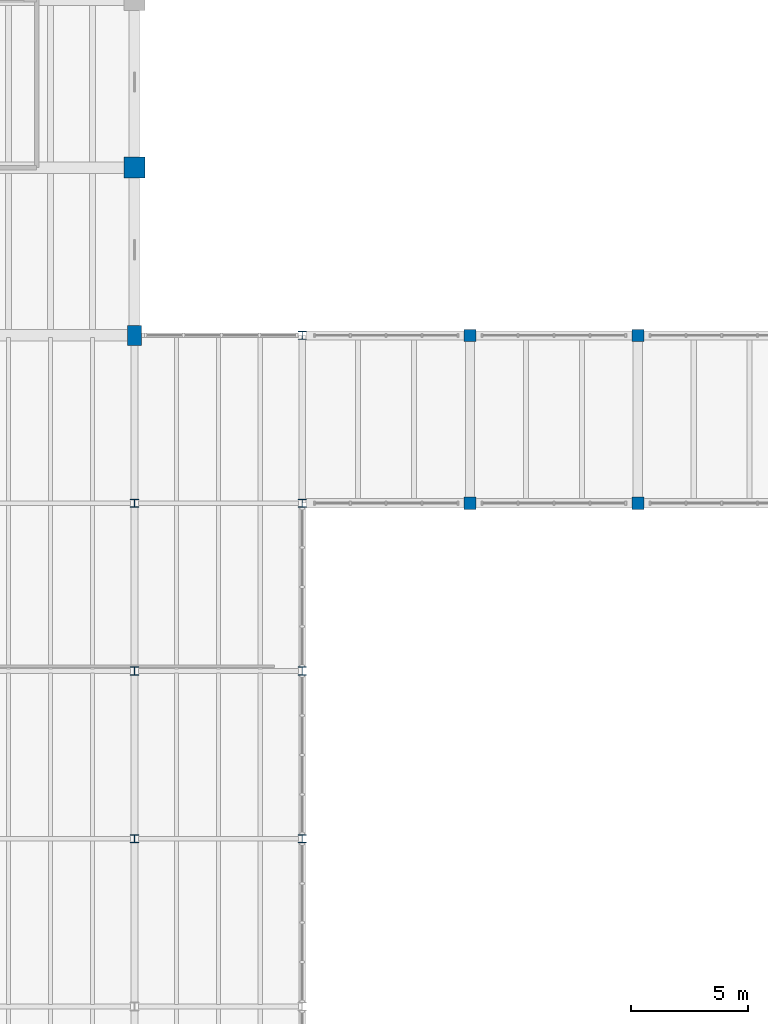
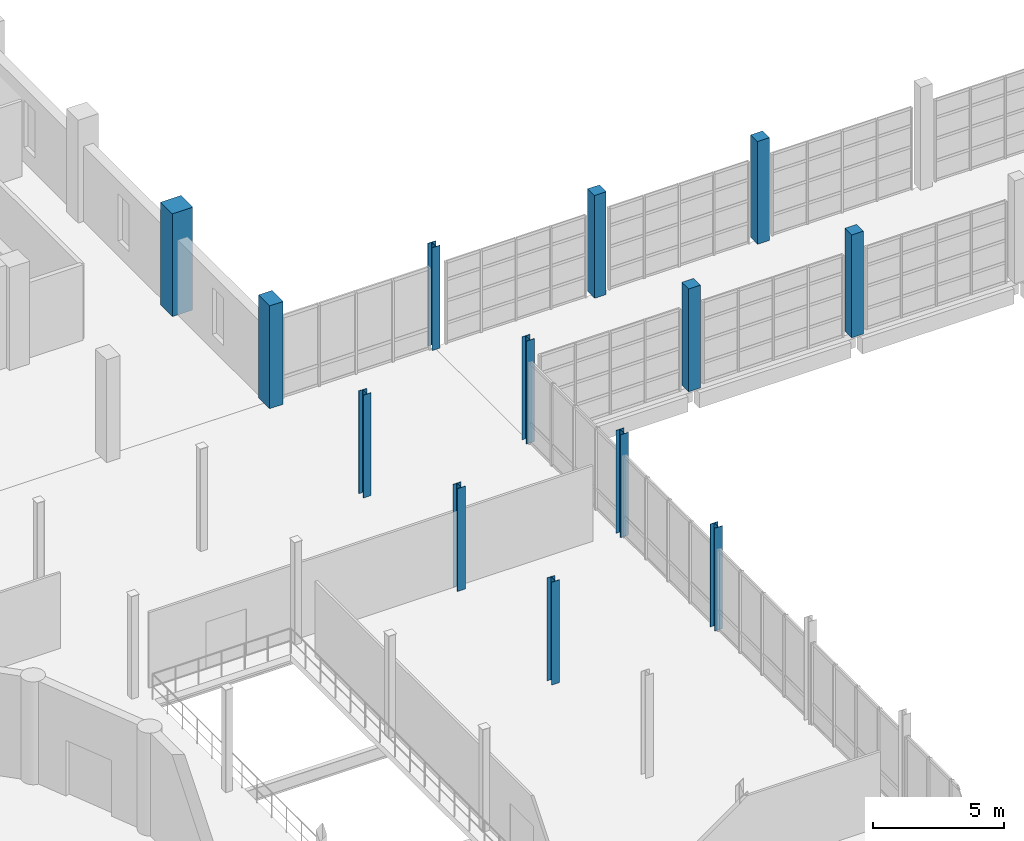
# One storey, part 14 of 77: 13 columns.
"""IFC4 building model written with IfcOpenShell, lengths in metres."""

from ifc_helpers import new_model, si_unit, direction, frame, origin, origin_2d, place, context, subcontext, project, spatial, rectangle, i_section, extrude, material, material_profile, profile_set, type_object, element, save


model = new_model("IFC4")

# Units and contexts
model_context = context("Model", 3, precision=1e-05, world=origin(), true_north=direction((0.0, 1.0)))
body_context = subcontext(model_context, "Body", "Model", "MODEL_VIEW")
ifc_project = project(units=[si_unit("LENGTHUNIT", "METRE"), si_unit("AREAUNIT", "SQUARE_METRE"), si_unit("VOLUMEUNIT", "CUBIC_METRE"), si_unit("PLANEANGLEUNIT", "RADIAN"), si_unit("MASSUNIT", "GRAM", prefix="KILO")], contexts=[model_context])

# Site, building, storey
site_placement = place(None, origin())
site = spatial("IfcSite", under=ifc_project, at=site_placement, CompositionType="ELEMENT")
building_placement = place(site_placement, origin())
building = spatial("IfcBuilding", under=site, at=building_placement, Name="Qiaolan Assembly House", CompositionType="ELEMENT")
storey_placement = place(building_placement, frame((0.0, 0.0, 5.39990234375)))
storey = spatial("IfcBuildingStorey", under=building, at=storey_placement, Name="L01", CompositionType="ELEMENT", Elevation=5.39990234375)

# Columns
ifc_material_1 = material(Name="Concrete C50/60", Category="concrete")
ifc_material_profile_1 = material_profile(ifc_material_1, rectangle(XDim=0.60009765625, YDim=0.85009765625, at=origin_2d()), Name="RC 850x600")
ifc_profile_set_1 = profile_set([ifc_material_profile_1], Name="Concrete C50/60")
column_type_1 = type_object("IfcColumnType", Name="COL-RC-850x600", PredefinedType="COLUMN", material=ifc_profile_set_1)
column_1_placement = place(storey_placement, frame((100.800048828125, 86.39990234375, 0.0), z_axis=(0.0, 0.0, 1.0), x_axis=(1.0, 0.0, 0.0)))
element("IfcColumn", 1, at=column_1_placement, inside=storey, type_object=column_type_1, Name="RC-13 column NW L01", PredefinedType="COLUMN", context=body_context, shape_type="SweptSolid", body=[
    extrude(rectangle(XDim=0.60009765625, YDim=0.85009765625, at=origin_2d()), origin(), (0.0, 0.0, 1.0), 4.800048828125),
])
ifc_material_profile_2 = material_profile(ifc_material_1, rectangle(XDim=0.89990234375, YDim=0.89990234375, at=origin_2d()), Name="RC 900x900")
ifc_profile_set_2 = profile_set([ifc_material_profile_2], Name="Concrete C50/60")
column_type_2 = type_object("IfcColumnType", Name="COL-RC-900", PredefinedType="COLUMN", material=ifc_profile_set_2)
column_2_placement = place(storey_placement, frame((100.800048828125, 93.60009765625, 0.0), z_axis=(0.0, 0.0, 1.0), x_axis=(1.0, 0.0, 0.0)))
element("IfcColumn", 2, at=column_2_placement, inside=storey, type_object=column_type_2, Name="RC-03 column NW L01", PredefinedType="COLUMN", context=body_context, shape_type="SweptSolid", body=[
    extrude(rectangle(XDim=0.89990234375, YDim=0.89990234375, at=origin_2d()), origin(), (0.0, 0.0, 1.0), 4.800048828125),
])
ifc_material_2 = material(Name="Steel Q355B", Category="steel")
ifc_material_profile_3 = material_profile(ifc_material_2, i_section(OverallWidth=0.35009765625, OverallDepth=0.35009765625, WebThickness=0.011962890625, FlangeThickness=0.01904296875, FilletRadius=0.02001953125, at=origin_2d()), Name="HW 350x350x12x19")
ifc_profile_set_3 = profile_set([ifc_material_profile_3], Name="Steel Q355B")
column_type_3 = type_object("IfcColumnType", Name="COL-STL-HW350", PredefinedType="COLUMN", material=ifc_profile_set_3)
for number, where, z_axis, x_axis, name in (
    (3, (100.800048828125, 64.800048828125, 0.0), (0.0, 0.0, 1.0), (1.0, 0.0, 0.0), "SC-02 hall column L01"),
    (4, (100.800048828125, 72.0, 0.0), (0.0, 0.0, 1.0), (1.0, 0.0, 0.0), "SC-02 hall column L01"),
    (5, (100.800048828125, 79.199951171875, 0.0), (0.0, 0.0, 1.0), (1.0, 0.0, 0.0), "SC-02 hall column L01"),
    (6, (108.0, 64.800048828125, 0.0), (0.0, 0.0, 1.0), (1.0, 0.0, 0.0), "SC-02 hall column L01"),
    (7, (108.0, 72.0, 0.0), (0.0, 0.0, 1.0), (1.0, 0.0, 0.0), "SC-02 hall column L01"),
    (8, (108.0, 79.199951171875, 0.0), (0.0, 0.0, 1.0), (1.0, 0.0, 0.0), "SC-02 hall column L01"),
    (9, (108.0, 86.39990234375, 0.0), (0.0, 0.0, 1.0), (1.0, 0.0, 0.0), "SC-02 hall column L01"),
):
    element("IfcColumn", number, at=place(storey_placement, frame(where, z_axis=z_axis, x_axis=x_axis)), inside=storey, type_object=column_type_3, Name=name, PredefinedType="COLUMN", context=body_context, shape_type="SweptSolid", body=[
        extrude(i_section(OverallWidth=0.35009765625, OverallDepth=0.35009765625, WebThickness=0.011962890625, FlangeThickness=0.01904296875, FilletRadius=0.02001953125, at=origin_2d()), origin(), (0.0, 0.0, 1.0), 4.800048828125),
    ])
ifc_material_3 = material(Name="Precast concrete C45/55", Category="concrete")
ifc_material_profile_4 = material_profile(ifc_material_3, rectangle(XDim=0.52001953125, YDim=0.52001953125, at=origin_2d()), Name="PIL 520x520")
ifc_profile_set_4 = profile_set([ifc_material_profile_4], Name="Precast concrete C45/55")
column_type_4 = type_object("IfcColumnType", Name="PIL-CLOISTER-520", PredefinedType="PILASTER", material=ifc_profile_set_4)
for number, where, z_axis, x_axis, name in (
    (10, (115.199951171875, 79.199951171875, 0.0), (0.0, 0.0, 1.0), (1.0, 0.0, 0.0), "PL-06 cloister pier L01"),
    (11, (115.199951171875, 86.39990234375, 0.0), (0.0, 0.0, 1.0), (1.0, 0.0, 0.0), "PL-06 cloister pier L01"),
    (12, (122.39990234375, 79.199951171875, 0.0), (0.0, 0.0, 1.0), (1.0, 0.0, 0.0), "PL-06 cloister pier L01"),
    (13, (122.39990234375, 86.39990234375, 0.0), (0.0, 0.0, 1.0), (1.0, 0.0, 0.0), "PL-06 cloister pier L01"),
):
    element("IfcColumn", number, at=place(storey_placement, frame(where, z_axis=z_axis, x_axis=x_axis)), inside=storey, type_object=column_type_4, Name=name, PredefinedType="PILASTER", context=body_context, shape_type="SweptSolid", body=[
        extrude(rectangle(XDim=0.52001953125, YDim=0.52001953125, at=origin_2d()), origin(), (0.0, 0.0, 1.0), 4.800048828125),
    ])

save(model, "model.ifc")
